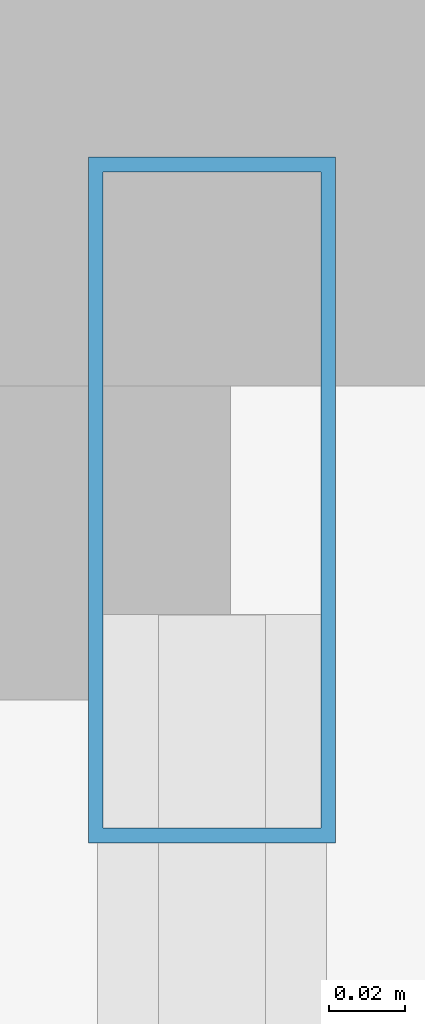
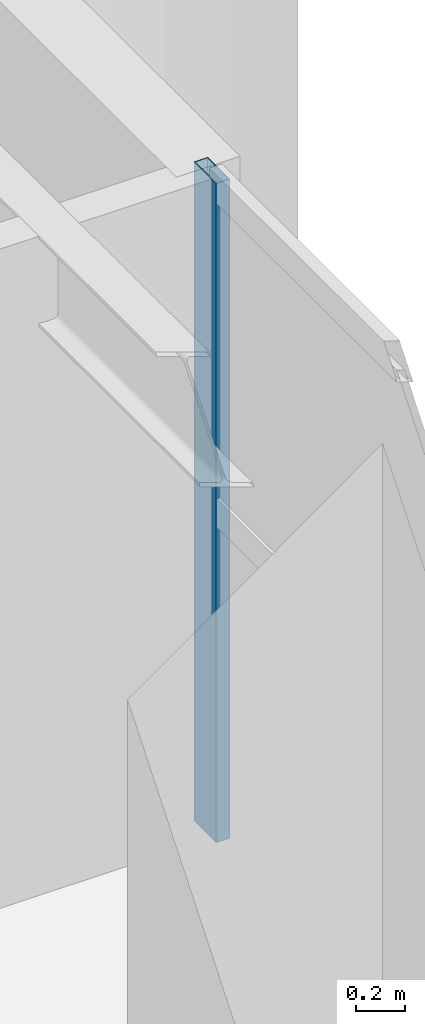
# One storey, part 13 of 23: 1 member, 1 element without a shape of its own.
"""IFC4 building model written with IfcOpenShell, lengths in metres."""

from ifc_helpers import new_model, si_unit, direction, frame, origin, origin_2d, place, context, subcontext, project, spatial, hollow_rectangle, extrude, source, transform, mapped, material, layer, layer_set, material_profile, profile_set, type_object, element, aggregate, save


model = new_model("IFC4")

# Units and contexts
model_context = context("Model", 3, precision=1e-05, world=origin(), true_north=direction((0.0, 1.0)))
body_context = subcontext(model_context, "Body", "Model", "MODEL_VIEW")
ifc_project = project(units=[si_unit("LENGTHUNIT", "METRE"), si_unit("AREAUNIT", "SQUARE_METRE"), si_unit("VOLUMEUNIT", "CUBIC_METRE"), si_unit("PLANEANGLEUNIT", "RADIAN"), si_unit("MASSUNIT", "GRAM", prefix="KILO")], contexts=[model_context])

# Site, building, storey
site_placement = place(None, origin())
site = spatial("IfcSite", under=ifc_project, at=site_placement, CompositionType="ELEMENT")
building_placement = place(site_placement, origin())
building = spatial("IfcBuilding", under=site, at=building_placement, Name="Khoralis Quay Care Tower", CompositionType="ELEMENT")
storey_placement = place(building_placement, frame((0.0, 0.0, 72.89990234375)))
storey = spatial("IfcBuildingStorey", under=building, at=storey_placement, Name="L19", CompositionType="ELEMENT", Elevation=72.89990234375)

# Curtain wall, member
ifc_material = material(Name="Pale anodised aluminium", Category="aluminium")
ifc_layer = layer(ifc_material, 0.179931640625)
ifc_layer_set = layer_set([ifc_layer], Name="Pale anodised aluminium")
curtain_wall_type = type_object("IfcCurtainWallType", Name="CW-SYS-Z1", PredefinedType="NOTDEFINED", material=ifc_layer_set)
curtain_wall_placement = place(storey_placement, origin())
curtain_wall = element("IfcCurtainWall", 1, at=curtain_wall_placement, inside=storey, type_object=curtain_wall_type, Name="L19 Unitised Curtain Wall CW-L19-P1-E5", PredefinedType="NOTDEFINED")
ifc_material_profile = material_profile(ifc_material, hollow_rectangle(XDim=0.06494140625, YDim=0.179931640625, WallThickness=0.00390625, at=origin_2d()), Name="Pale anodised aluminium")
ifc_profile_set = profile_set([ifc_material_profile], Name="Pale anodised aluminium")
member_type = type_object("IfcMemberType", Name="CW-MUL-180", PredefinedType="MULLION", material=ifc_profile_set)
shared_shape = source(origin(), body_context, "Body", "SweptSolid", [
    extrude(hollow_rectangle(XDim=0.06494140625, YDim=0.179931640625, WallThickness=0.00390625, at=origin_2d()), origin(), (0.0, 0.0, 1.0), 3.280029296875),
])
member_placement = place(storey_placement, frame((47.85009765625, 32.25, 0.0), z_axis=(0.0, 0.0, 1.0), x_axis=(-1.0, 0.0, 0.0)))
member = element("IfcMember", 2, at=member_placement, type_object=member_type, Name="CW1 mullion 5", PredefinedType="MULLION", context=body_context, shape_type="MappedRepresentation", body=[
    mapped(shared_shape, transform((0.0, 0.0, 0.0), scale=1.0)),
])
aggregate(curtain_wall, [member])

save(model, "model.ifc")
